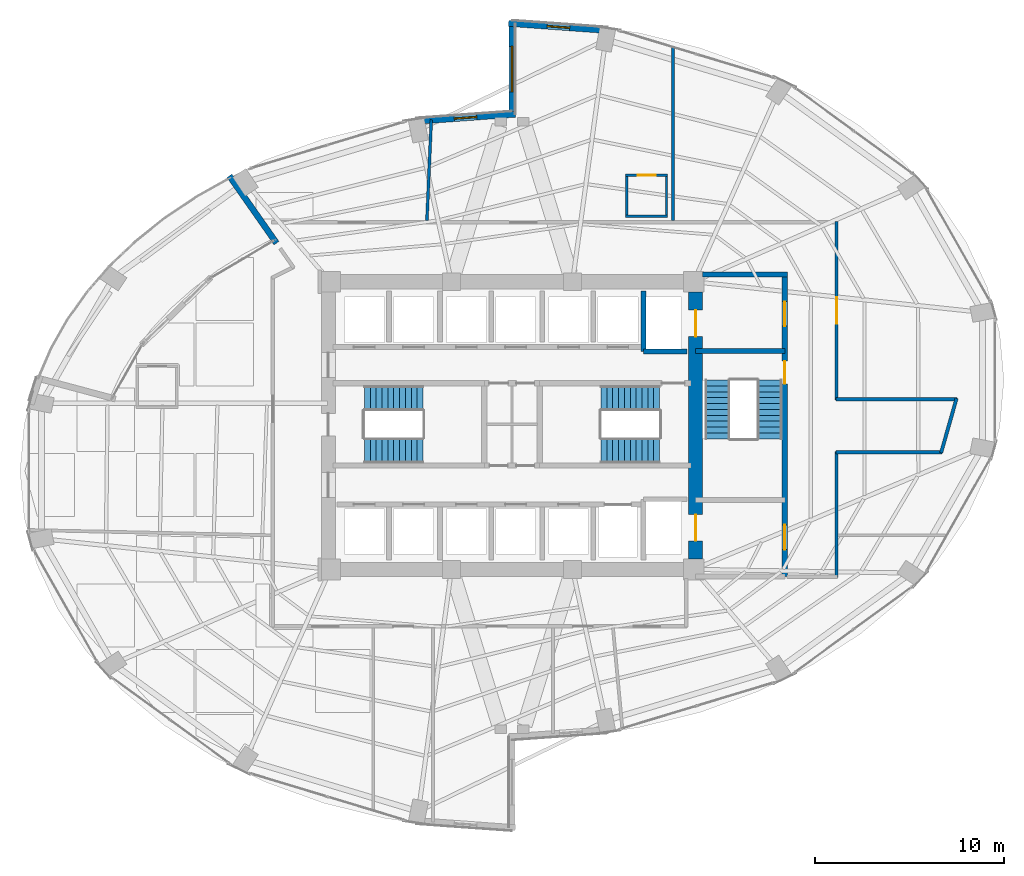
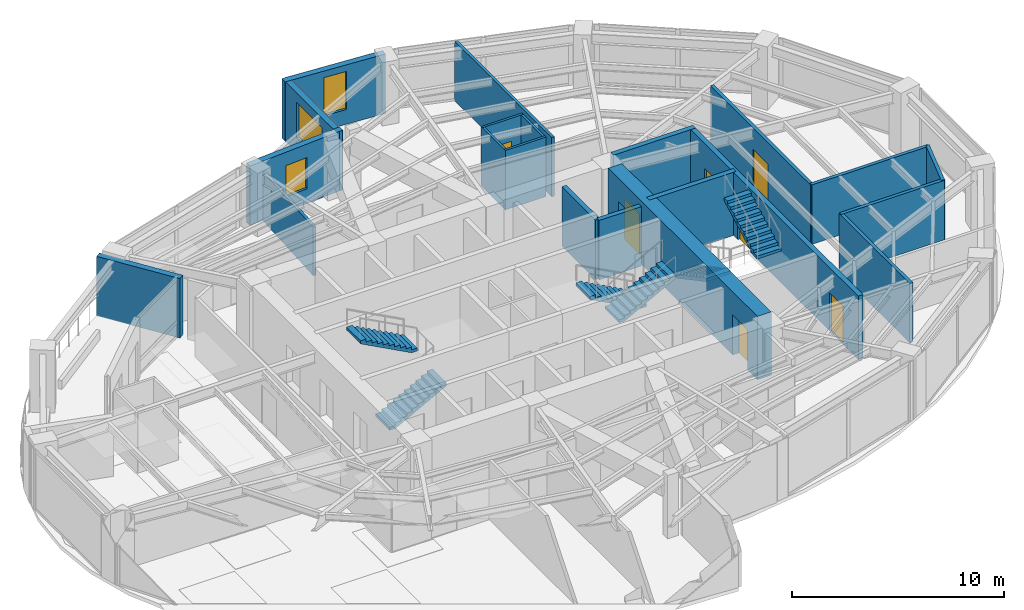
# One storey, part 22 of 24: 21 walls, 7 doors, 6 stair flights, 3 windows, 10 openings, 3 elements without a shape of their own.
"""IFC4 building model written with IfcOpenShell, lengths in metres."""

from ifc_helpers import new_model, si_unit, direction, frame, frame_2d, origin, place, context, subcontext, project, spatial, polyline, rectangle, outline, extrude, material, layer, layer_set, type_object, element, fill, aggregate, save


model = new_model("IFC4")

# Units and contexts
model_context = context("Model", 3, precision=1e-05, world=origin(), true_north=direction((0.0, 1.0)))
body_context = subcontext(model_context, "Body", "Model", "MODEL_VIEW")
ifc_project = project(units=[si_unit("LENGTHUNIT", "METRE"), si_unit("AREAUNIT", "SQUARE_METRE"), si_unit("VOLUMEUNIT", "CUBIC_METRE"), si_unit("PLANEANGLEUNIT", "RADIAN"), si_unit("MASSUNIT", "GRAM", prefix="KILO")], contexts=[model_context])

# Site, building, storey
site_placement = place(None, origin())
site = spatial("IfcSite", under=ifc_project, at=site_placement, CompositionType="ELEMENT")
building_placement = place(site_placement, origin())
building = spatial("IfcBuilding", under=site, at=building_placement, Name="Lazwardi Medical Tower", CompositionType="ELEMENT")
storey_placement = place(building_placement, frame((0.0, 0.0, 110.927978515625)))
storey = spatial("IfcBuildingStorey", under=building, at=storey_placement, Name="L28", CompositionType="ELEMENT", Elevation=110.927978515625)

# Wall, opening, door
ifc_material_1 = material(Name="Fire-rated gypsum board on steel stud", Category="steel")
ifc_layer_1 = layer(ifc_material_1, 0.179931640625)
ifc_layer_set_1 = layer_set([ifc_layer_1], Name="Fire-rated gypsum board on steel stud")
wall_type_1 = type_object("IfcWallType", Name="WL-COR-180", PredefinedType="PARTITIONING", material=ifc_layer_set_1)
wall_1_placement = place(storey_placement, frame((53.14990234375, 38.7900390625, 0.0), z_axis=(0.0, 0.0, 1.0), x_axis=(0.0, -1.0, 0.0)))
wall_1 = element("IfcWall", 1, at=wall_1_placement, inside=storey, type_object=wall_type_1, Name="L28 Corridor partition 5", PredefinedType="PARTITIONING", context=body_context, shape_type="SweptSolid", body=[
    extrude(rectangle(XDim=9.429931640625, YDim=0.179931640625, at=frame_2d((4.71484375, 0.0))), origin(), (0.0, 0.0, 1.0), 3.427978515625),
])
opening_1_placement = place(wall_1_placement, frame((4.014892578125, 0.0, 0.0)))
opening_1 = element("IfcOpeningElement", 2, at=opening_1_placement, cuts=wall_1, Name="Opening D-L28-016", PredefinedType="OPENING", context=body_context, shape_type="SweptSolid", body=[
    extrude(rectangle(XDim=1.39990234375, YDim=2.199951171875, at=frame_2d((0.699951171875, 1.10009765625))), frame((0.0, 0.099853515625, 0.0), z_axis=(0.0, -1.0, 0.0), x_axis=(1.0, 0.0, 0.0)), (0.0, 0.0, 1.0), 0.199951171875),
])
ifc_material_2 = material(Name="Anti-microbial laminate hospital leaf")
door_type_1 = type_object("IfcDoorType", Name="DR-BED-1400", OperationType="NOTDEFINED", PredefinedType="DOOR", material=ifc_material_2)
door_1_placement = place(opening_1_placement, origin())
door_1 = element("IfcDoor", 3, at=door_1_placement, inside=storey, type_object=door_type_1, Name="L28 Inpatient Ward Door 06", OperationType="SINGLE_SWING_RIGHT", OverallHeight=2.199951171875, OverallWidth=1.39990234375, PredefinedType="DOOR", context=body_context, shape_type="SweptSolid", body=[
    extrude(rectangle(XDim=1.39990234375, YDim=2.199951171875, at=frame_2d((0.699951171875, 1.10009765625))), frame((0.0, 0.02490234375, 0.0), z_axis=(0.0, -1.0, 0.0), x_axis=(1.0, 0.0, 0.0)), (0.0, 0.0, 1.0), 0.050048828125),
])
fill(opening_1, door_1)

# Walls
wall_2_placement = place(storey_placement, frame((53.110107421875, 29.39990234375, 0.0), z_axis=(0.0, 0.0, 1.0), x_axis=(1.0, 0.0, 0.0)))
element("IfcWall", 4, at=wall_2_placement, inside=storey, type_object=wall_type_1, Name="L28 Corridor partition 6", PredefinedType="PARTITIONING", context=body_context, shape_type="SweptSolid", body=[
    extrude(rectangle(XDim=6.41259765625, YDim=0.179931640625, at=frame_2d((3.206298828125, 0.0))), origin(), (0.0, 0.0, 1.0), 3.427978515625),
])
wall_3_placement = place(storey_placement, frame((59.49365234375, 29.4384765625, 0.0), z_axis=(0.0, 0.0, 1.0), x_axis=(-0.273222154729, -0.961950962453, 0.0)))
element("IfcWall", 5, at=wall_3_placement, inside=storey, type_object=wall_type_1, Name="L28 Corridor partition 7", PredefinedType="PARTITIONING", context=body_context, shape_type="SweptSolid", body=[
    extrude(rectangle(XDim=2.99072265625, YDim=0.179931640625, at=frame_2d((1.495361328125, 0.0))), origin(), (0.0, 0.0, 1.0), 3.427978515625),
])
wall_4_placement = place(storey_placement, frame((58.727294921875, 26.60009765625, 0.0), z_axis=(0.0, 0.0, 1.0), x_axis=(-1.0, 0.0, 0.0)))
element("IfcWall", 6, at=wall_4_placement, inside=storey, type_object=wall_type_1, Name="L28 Corridor partition 8", PredefinedType="PARTITIONING", context=body_context, shape_type="SweptSolid", body=[
    extrude(rectangle(XDim=5.6171875, YDim=0.179931640625, at=frame_2d((2.80859375, 0.0))), origin(), (0.0, 0.0, 1.0), 3.427978515625),
])
wall_5_placement = place(storey_placement, frame((53.14990234375, 26.639892578125, 0.0), z_axis=(0.0, 0.0, 1.0), x_axis=(0.0, -1.0, 0.0)))
element("IfcWall", 7, at=wall_5_placement, inside=storey, type_object=wall_type_1, Name="L28 Corridor partition 9", PredefinedType="PARTITIONING", context=body_context, shape_type="SweptSolid", body=[
    extrude(rectangle(XDim=6.659912109375, YDim=0.179931640625, at=frame_2d((3.330078125, 0.0))), origin(), (0.0, 0.0, 1.0), 3.427978515625),
])

# Wall, openings, doors
ifc_material_3 = material(Name="Concrete C70/85", Category="concrete")
ifc_layer_2 = layer(ifc_material_3, 0.75)
ifc_layer_set_2 = layer_set([ifc_layer_2], Name="Concrete C70/85")
wall_type_2 = type_object("IfcWallType", Name="WL-CORE-750", PredefinedType="SHEAR", material=ifc_layer_set_2)
wall_6_placement = place(storey_placement, frame((45.699951171875, 20.949951171875, 0.0), z_axis=(0.0, 0.0, 1.0), x_axis=(0.0, 1.0, 0.0)))
wall_6 = element("IfcWall", 8, at=wall_6_placement, inside=storey, type_object=wall_type_2, Name="Core wall CW-S2 east L28", PredefinedType="SHEAR", context=body_context, shape_type="SweptSolid", body=[
    extrude(rectangle(XDim=14.10009765625, YDim=0.75, at=frame_2d((7.050048828125, 0.0))), origin(), (0.0, 0.0, 1.0), 3.64794921875),
])
opening_2_placement = place(wall_6_placement, frame((11.75, 0.0, 0.0)))
opening_2 = element("IfcOpeningElement", 9, at=opening_2_placement, cuts=wall_6, Name="Opening LD-L28-001", PredefinedType="OPENING", context=body_context, shape_type="SweptSolid", body=[
    extrude(rectangle(XDim=1.39990234375, YDim=2.300048828125, at=frame_2d((0.699951171875, 1.14990234375))), frame((0.0, 0.385009765625, 0.0), z_axis=(0.0, -1.0, 0.0), x_axis=(1.0, 0.0, 0.0)), (0.0, 0.0, 1.0), 0.77001953125),
])
opening_3_placement = place(wall_6_placement, frame((0.949951171875, 0.0, 0.0)))
opening_3 = element("IfcOpeningElement", 10, at=opening_3_placement, cuts=wall_6, Name="Opening LD-L28-002", PredefinedType="OPENING", context=body_context, shape_type="SweptSolid", body=[
    extrude(rectangle(XDim=1.39990234375, YDim=2.300048828125, at=frame_2d((0.699951171875, 1.14990234375))), frame((0.0, 0.385009765625, 0.0), z_axis=(0.0, -1.0, 0.0), x_axis=(1.0, 0.0, 0.0)), (0.0, 0.0, 1.0), 0.77001953125),
])
ifc_material_4 = material(Name="Brushed stainless steel bed-lift landing door", Category="steel")
door_type_2 = type_object("IfcDoorType", Name="DR-LFT-1400", OperationType="NOTDEFINED", PredefinedType="DOOR", material=ifc_material_4)
door_2_placement = place(opening_2_placement, origin())
door_2 = element("IfcDoor", 11, at=door_2_placement, inside=storey, type_object=door_type_2, Name="L28 Lift Landing Door FL-01", OperationType="SLIDING_TO_LEFT", OverallHeight=2.300048828125, OverallWidth=1.39990234375, PredefinedType="DOOR", context=body_context, shape_type="SweptSolid", body=[
    extrude(rectangle(XDim=1.39990234375, YDim=2.300048828125, at=frame_2d((0.699951171875, 1.14990234375))), frame((0.0, 0.02490234375, 0.0), z_axis=(0.0, -1.0, 0.0), x_axis=(1.0, 0.0, 0.0)), (0.0, 0.0, 1.0), 0.050048828125),
])
fill(opening_2, door_2)
door_3_placement = place(opening_3_placement, origin())
door_3 = element("IfcDoor", 12, at=door_3_placement, inside=storey, type_object=door_type_2, Name="L28 Lift Landing Door FL-02", OperationType="SLIDING_TO_LEFT", OverallHeight=2.300048828125, OverallWidth=1.39990234375, PredefinedType="DOOR", context=body_context, shape_type="SweptSolid", body=[
    extrude(rectangle(XDim=1.39990234375, YDim=2.300048828125, at=frame_2d((0.699951171875, 1.14990234375))), frame((0.0, 0.02490234375, 0.0), z_axis=(0.0, -1.0, 0.0), x_axis=(1.0, 0.0, 0.0)), (0.0, 0.0, 1.0), 0.050048828125),
])
fill(opening_3, door_3)

# Wall, opening, door
ifc_material_5 = material(Name="Moisture-resistant gypsum board partition")
ifc_layer_3 = layer(ifc_material_5, 0.125)
ifc_layer_set_3 = layer_set([ifc_layer_3], Name="Moisture-resistant gypsum board partition")
wall_type_3 = type_object("IfcWallType", Name="WL-ENS-125", PredefinedType="PARTITIONING", material=ifc_layer_set_3)
wall_7_placement = place(storey_placement, frame((42.0048828125, 41.22509765625, 0.0), z_axis=(0.0, 0.0, 1.0), x_axis=(1.0, 0.0, 0.0)))
wall_7 = element("IfcWall", 13, at=wall_7_placement, inside=storey, type_object=wall_type_3, Name="L28 En-suite wall 7N", PredefinedType="PARTITIONING", context=body_context, shape_type="SweptSolid", body=[
    extrude(rectangle(XDim=2.22021484375, YDim=0.125, at=frame_2d((1.110107421875, 0.0))), origin(), (0.0, 0.0, 1.0), 3.427978515625),
])
opening_4_placement = place(wall_7_placement, frame((0.635009765625, 0.0, 0.0)))
opening_4 = element("IfcOpeningElement", 14, at=opening_4_placement, cuts=wall_7, Name="Opening D-L28-005", PredefinedType="OPENING", context=body_context, shape_type="SweptSolid", body=[
    extrude(rectangle(XDim=0.949951171875, YDim=2.10009765625, at=frame_2d((0.47509765625, 1.050048828125))), frame((0.0, 0.072509765625, 0.0), z_axis=(0.0, -1.0, 0.0), x_axis=(1.0, 0.0, 0.0)), (0.0, 0.0, 1.0), 0.14501953125),
])
ifc_material_6 = material(Name="Moisture-resistant laminate door leaf")
door_type_3 = type_object("IfcDoorType", Name="DR-ENS-950", OperationType="NOTDEFINED", PredefinedType="DOOR", material=ifc_material_6)
door_4_placement = place(opening_4_placement, origin())
door_4 = element("IfcDoor", 15, at=door_4_placement, inside=storey, type_object=door_type_3, Name="L28 En-suite Door 07", OperationType="SINGLE_SWING_LEFT", OverallHeight=2.10009765625, OverallWidth=0.949951171875, PredefinedType="DOOR", context=body_context, shape_type="SweptSolid", body=[
    extrude(rectangle(XDim=0.949951171875, YDim=2.10009765625, at=frame_2d((0.47509765625, 1.050048828125))), frame((0.0, 0.02490234375, 0.0), z_axis=(0.0, -1.0, 0.0), x_axis=(1.0, 0.0, 0.0)), (0.0, 0.0, 1.0), 0.050048828125),
])
fill(opening_4, door_4)

# Walls
wall_8_placement = place(storey_placement, frame((42.0048828125, 39.06494140625, 0.0), z_axis=(0.0, 0.0, 1.0), x_axis=(1.0, 0.0, 0.0)))
element("IfcWall", 16, at=wall_8_placement, inside=storey, type_object=wall_type_3, Name="L28 En-suite wall 7S", PredefinedType="PARTITIONING", context=body_context, shape_type="SweptSolid", body=[
    extrude(rectangle(XDim=2.22021484375, YDim=0.125, at=frame_2d((1.110107421875, 0.0))), origin(), (0.0, 0.0, 1.0), 3.427978515625),
])
for number, where, z_axis, x_axis, name in (
    (17, (44.1650390625, 39.0048828125, 0.0), (0.0, 0.0, 1.0), (0.0, 1.0, 0.0), "L28 En-suite wall 7E"),
    (18, (42.06494140625, 39.0048828125, 0.0), (0.0, 0.0, 1.0), (0.0, 1.0, 0.0), "L28 En-suite wall 7W"),
):
    element("IfcWall", number, at=place(storey_placement, frame(where, z_axis=z_axis, x_axis=x_axis)), inside=storey, type_object=wall_type_3, Name=name, PredefinedType="PARTITIONING", context=body_context, shape_type="SweptSolid", body=[
        extrude(rectangle(XDim=2.280029296875, YDim=0.125, at=frame_2d((1.14013671875, 0.0))), origin(), (0.0, 0.0, 1.0), 3.427978515625),
    ])

# Wall, opening, window
ifc_material_7 = material(Name="Precast concrete C45/55", Category="concrete")
ifc_layer_4 = layer(ifc_material_7, 0.320068359375)
ifc_layer_set_4 = layer_set([ifc_layer_4], Name="Precast concrete C45/55")
wall_type_4 = type_object("IfcWallType", Name="WL-IWAN-320", PredefinedType="SOLIDWALL", material=ifc_layer_set_4)
wall_9_placement = place(storey_placement, frame((41.091064453125, 48.87451171875, 0.0), z_axis=(0.0, 0.0, 1.0), x_axis=(-0.997432364291, 0.071614793619, 0.0)))
wall_9 = element("IfcWall", 19, at=wall_9_placement, inside=storey, type_object=wall_type_4, Name="L28 Iwan Portal Return Wall NE_ret", PredefinedType="SOLIDWALL", context=body_context, shape_type="SweptSolid", body=[
    extrude(rectangle(XDim=5.2841796875, YDim=0.320068359375, at=frame_2d((2.64208984375, 0.0))), origin(), (0.0, 0.0, 1.0), 3.427978515625),
])
opening_5_placement = place(wall_9_placement, frame((2.0419921875, 0.0, 0.85009765625)))
opening_5 = element("IfcOpeningElement", 20, at=opening_5_placement, cuts=wall_9, Name="Opening WN-01", PredefinedType="OPENING", context=body_context, shape_type="SweptSolid", body=[
    extrude(rectangle(XDim=1.199951171875, YDim=2.199951171875, at=frame_2d((0.60009765625, 1.10009765625))), frame((0.0, 0.169921875, 0.0), z_axis=(0.0, -1.0, 0.0), x_axis=(1.0, 0.0, 0.0)), (0.0, 0.0, 1.0), 0.340087890625),
])
ifc_material_8 = material(Name="Low-e bronze solar control double glazing", Category="glass")
window_type_1 = type_object("IfcWindowType", Name="WIN-IW-1200", PartitioningType="SINGLE_PANEL", PredefinedType="WINDOW", material=ifc_material_8)
window_1_placement = place(opening_5_placement, origin())
window_1 = element("IfcWindow", 21, at=window_1_placement, inside=storey, type_object=window_type_1, Name="L28 Iwan Slot Window NE_ret", OverallHeight=2.199951171875, OverallWidth=1.199951171875, PartitioningType="SINGLE_PANEL", PredefinedType="WINDOW", context=body_context, shape_type="SweptSolid", body=[
    extrude(rectangle(XDim=1.199951171875, YDim=2.199951171875, at=frame_2d((0.60009765625, 1.10009765625))), frame((0.0, 0.030029296875, 0.0), z_axis=(0.0, -1.0, 0.0), x_axis=(1.0, 0.0, 0.0)), (0.0, 0.0, 1.0), 0.06005859375),
])
fill(opening_5, window_1)

wall_10_placement = place(storey_placement, frame((36.178955078125, 44.452880859375, 0.0), z_axis=(0.0, 0.0, 1.0), x_axis=(-0.997431890304, -0.071621394884, 0.0)))
wall_10 = element("IfcWall", 22, at=wall_10_placement, inside=storey, type_object=wall_type_4, Name="L28 Iwan Portal Return Wall NW_ret", PredefinedType="SOLIDWALL", context=body_context, shape_type="SweptSolid", body=[
    extrude(rectangle(XDim=5.28369140625, YDim=0.320068359375, at=frame_2d((2.641845703125, 0.0))), origin(), (0.0, 0.0, 1.0), 3.427978515625),
])
opening_6_placement = place(wall_10_placement, frame((2.041748046875, 0.0, 0.85009765625)))
opening_6 = element("IfcOpeningElement", 23, at=opening_6_placement, cuts=wall_10, Name="Opening WN-04", PredefinedType="OPENING", context=body_context, shape_type="SweptSolid", body=[
    extrude(rectangle(XDim=1.199951171875, YDim=1.800048828125, at=frame_2d((0.60009765625, 0.89990234375))), frame((0.0, 0.169921875, 0.0), z_axis=(0.0, -1.0, 0.0), x_axis=(1.0, 0.0, 0.0)), (0.0, 0.0, 1.0), 0.340087890625),
])
window_type_2 = type_object("IfcWindowType", Name="WIN-DRUM-1200", PartitioningType="SINGLE_PANEL", PredefinedType="WINDOW", material=ifc_material_8)
window_2_placement = place(opening_6_placement, origin())
window_2 = element("IfcWindow", 24, at=window_2_placement, inside=storey, type_object=window_type_2, Name="L28 Iwan Slot Window NW_ret", OverallHeight=1.800048828125, OverallWidth=1.199951171875, PartitioningType="SINGLE_PANEL", PredefinedType="WINDOW", context=body_context, shape_type="SweptSolid", body=[
    extrude(rectangle(XDim=1.199951171875, YDim=1.800048828125, at=frame_2d((0.60009765625, 0.89990234375))), frame((0.0, 0.030029296875, 0.0), z_axis=(0.0, -1.0, 0.0), x_axis=(1.0, 0.0, 0.0)), (0.0, 0.0, 1.0), 0.06005859375),
])
fill(opening_6, window_2)

wall_11_placement = place(storey_placement, frame((36.0, 49.39990234375, 0.0), z_axis=(0.0, 0.0, 1.0), x_axis=(0.0, -1.0, 0.0)))
wall_11 = element("IfcWall", 25, at=wall_11_placement, inside=storey, type_object=wall_type_4, Name="L28 Turquoise Tilework Iwan Seam Wall N_seam", PredefinedType="SOLIDWALL", context=body_context, shape_type="SweptSolid", body=[
    extrude(rectangle(XDim=5.119873046875, YDim=0.320068359375, at=frame_2d((2.56005859375, 0.0))), origin(), (0.0, 0.0, 1.0), 3.427978515625),
])
opening_7_placement = place(wall_11_placement, frame((1.360107421875, 0.0, 0.840087890625)))
opening_7 = element("IfcOpeningElement", 26, at=opening_7_placement, cuts=wall_11, Name="Opening WN-02", PredefinedType="OPENING", context=body_context, shape_type="SweptSolid", body=[
    extrude(rectangle(XDim=2.39990234375, YDim=2.0400390625, at=frame_2d((1.199951171875, 1.02001953125))), frame((0.0, 0.169921875, 0.0), z_axis=(0.0, -1.0, 0.0), x_axis=(1.0, 0.0, 0.0)), (0.0, 0.0, 1.0), 0.340087890625),
])
window_type_3 = type_object("IfcWindowType", Name="WIN-IW-2400", PartitioningType="SINGLE_PANEL", PredefinedType="WINDOW", material=ifc_material_8)
window_3_placement = place(opening_7_placement, origin())
window_3 = element("IfcWindow", 27, at=window_3_placement, inside=storey, type_object=window_type_3, Name="L28 Iwan Seam Window N_seam", OverallHeight=2.0400390625, OverallWidth=2.39990234375, PartitioningType="SINGLE_PANEL", PredefinedType="WINDOW", context=body_context, shape_type="SweptSolid", body=[
    extrude(rectangle(XDim=2.39990234375, YDim=2.0400390625, at=frame_2d((1.199951171875, 1.02001953125))), frame((0.0, 0.030029296875, 0.0), z_axis=(0.0, -1.0, 0.0), x_axis=(1.0, 0.0, 0.0)), (0.0, 0.0, 1.0), 0.06005859375),
])
fill(opening_7, window_3)

# Walls
wall_12_placement = place(storey_placement, frame((21.064208984375, 41.196533203125, 0.0), z_axis=(0.0, 0.0, 1.0), x_axis=(0.573586931721, -0.819144695252, 0.0)))
element("IfcWall", 28, at=wall_12_placement, inside=storey, type_object=wall_type_4, Name="L28 Sky Garden SG2 Flank Wall S0", PredefinedType="SOLIDWALL", context=body_context, shape_type="SweptSolid", body=[
    extrude(rectangle(XDim=4.33984375, YDim=0.320068359375, at=frame_2d((2.169921875, 0.0))), origin(), (0.0, 0.0, 1.0), 3.427978515625),
])
ifc_material_9 = material(Name="Autoclaved aerated concrete blockwork", Category="masonry")
ifc_layer_5 = layer(ifc_material_9, 0.25)
ifc_layer_set_5 = layer_set([ifc_layer_5], Name="Autoclaved aerated concrete blockwork")
wall_type_5 = type_object("IfcWallType", Name="WL-SHAFT-250", PredefinedType="SOLIDWALL", material=ifc_layer_set_5)
wall_13_placement = place(storey_placement, frame((42.949951171875, 31.919921875, 0.0), z_axis=(0.0, 0.0, 1.0), x_axis=(0.0, 1.0, 0.0)))
element("IfcWall", 29, at=wall_13_placement, inside=storey, type_object=wall_type_5, Name="L28 FL-01 West shaft wall", PredefinedType="SOLIDWALL", context=body_context, shape_type="SweptSolid", body=[
    extrude(rectangle(XDim=3.18017578125, YDim=0.25, at=frame_2d((1.590087890625, 0.0))), origin(), (0.0, 0.0, 1.0), 3.427978515625),
])
wall_14_placement = place(storey_placement, frame((42.949951171875, 31.919921875, 0.0), z_axis=(0.0, 0.0, 1.0), x_axis=(1.0, 0.0, 0.0)))
element("IfcWall", 30, at=wall_14_placement, inside=storey, type_object=wall_type_5, Name="L28 FL-01 South shaft wall", PredefinedType="SOLIDWALL", context=body_context, shape_type="SweptSolid", body=[
    extrude(rectangle(XDim=2.300048828125, YDim=0.25, at=frame_2d((1.14990234375, 0.0))), origin(), (0.0, 0.0, 1.0), 3.427978515625),
])

# Wall, openings, doors
ifc_material_10 = material(Name="Concrete C50/60", Category="concrete")
ifc_layer_6 = layer(ifc_material_10, 0.27001953125)
ifc_layer_set_6 = layer_set([ifc_layer_6], Name="Concrete C50/60")
wall_type_6 = type_object("IfcWallType", Name="WL-STR-250", PredefinedType="SHEAR", material=ifc_layer_set_6)
wall_15_placement = place(storey_placement, frame((50.4150390625, 35.844970703125, 0.0), z_axis=(0.0, 0.0, 1.0), x_axis=(0.0, -1.0, 0.0)))
wall_15 = element("IfcWall", 31, at=wall_15_placement, inside=storey, type_object=wall_type_6, Name="L28 East ST3 & FFL shear wall SW-S1", PredefinedType="SHEAR", context=body_context, shape_type="SweptSolid", body=[
    extrude(rectangle(XDim=15.824951171875, YDim=0.27001953125, at=frame_2d((7.91259765625, 0.0))), origin(), (0.0, 0.0, 1.0), 3.64794921875),
])
opening_8_placement = place(wall_15_placement, frame((4.445068359375, 0.0, 0.0)))
opening_8 = element("IfcOpeningElement", 32, at=opening_8_placement, cuts=wall_15, Name="Opening D-L28-022", PredefinedType="OPENING", context=body_context, shape_type="SweptSolid", body=[
    extrude(rectangle(XDim=1.199951171875, YDim=2.14990234375, at=frame_2d((0.60009765625, 1.074951171875))), frame((0.0, 0.14501953125, 0.0), z_axis=(0.0, -1.0, 0.0), x_axis=(1.0, 0.0, 0.0)), (0.0, 0.0, 1.0), 0.2900390625),
])
opening_9_placement = place(wall_15_placement, frame((1.294921875, 0.0, 0.0)))
opening_9 = element("IfcOpeningElement", 33, at=opening_9_placement, cuts=wall_15, Name="Opening D-L28-007", PredefinedType="OPENING", context=body_context, shape_type="SweptSolid", body=[
    extrude(rectangle(XDim=1.300048828125, YDim=2.199951171875, at=frame_2d((0.64990234375, 1.10009765625))), frame((0.0, 0.14501953125, 0.0), z_axis=(0.0, -1.0, 0.0), x_axis=(1.0, 0.0, 0.0)), (0.0, 0.0, 1.0), 0.2900390625),
])
opening_10_placement = place(wall_15_placement, frame((13.094970703125, 0.0, 0.0)))
opening_10 = element("IfcOpeningElement", 34, at=opening_10_placement, cuts=wall_15, Name="Opening D-L28-008", PredefinedType="OPENING", context=body_context, shape_type="SweptSolid", body=[
    extrude(rectangle(XDim=1.300048828125, YDim=2.199951171875, at=frame_2d((0.64990234375, 1.10009765625))), frame((0.0, 0.14501953125, 0.0), z_axis=(0.0, -1.0, 0.0), x_axis=(1.0, 0.0, 0.0)), (0.0, 0.0, 1.0), 0.2900390625),
])
ifc_material_11 = material(Name="Fire-rated steel leaf and frame", Category="steel")
door_type_4 = type_object("IfcDoorType", Name="DR-FFL-1300", OperationType="NOTDEFINED", PredefinedType="DOOR", material=ifc_material_11)
door_5_placement = place(opening_9_placement, origin())
door_5 = element("IfcDoor", 35, at=door_5_placement, inside=storey, type_object=door_type_4, Name="L28 Fire-Fighting Lobby North Door", OperationType="SINGLE_SWING_LEFT", OverallHeight=2.199951171875, OverallWidth=1.300048828125, PredefinedType="DOOR", context=body_context, shape_type="SweptSolid", body=[
    extrude(rectangle(XDim=1.300048828125, YDim=2.199951171875, at=frame_2d((0.64990234375, 1.10009765625))), frame((0.0, 0.02490234375, 0.0), z_axis=(0.0, -1.0, 0.0), x_axis=(1.0, 0.0, 0.0)), (0.0, 0.0, 1.0), 0.050048828125),
])
fill(opening_9, door_5)
door_6_placement = place(opening_10_placement, origin())
door_6 = element("IfcDoor", 36, at=door_6_placement, inside=storey, type_object=door_type_4, Name="L28 Fire-Fighting Lobby South Door", OperationType="SINGLE_SWING_RIGHT", OverallHeight=2.199951171875, OverallWidth=1.300048828125, PredefinedType="DOOR", context=body_context, shape_type="SweptSolid", body=[
    extrude(rectangle(XDim=1.300048828125, YDim=2.199951171875, at=frame_2d((0.64990234375, 1.10009765625))), frame((0.0, 0.02490234375, 0.0), z_axis=(0.0, -1.0, 0.0), x_axis=(1.0, 0.0, 0.0)), (0.0, 0.0, 1.0), 0.050048828125),
])
fill(opening_10, door_6)
door_type_5 = type_object("IfcDoorType", Name="DR-STR-1200", OperationType="NOTDEFINED", PredefinedType="DOOR", material=ifc_material_11)
door_7_placement = place(opening_8_placement, origin())
door_7 = element("IfcDoor", 37, at=door_7_placement, inside=storey, type_object=door_type_5, Name="L28 Exit Stair ST3 Door", OperationType="SINGLE_SWING_RIGHT", OverallHeight=2.14990234375, OverallWidth=1.199951171875, PredefinedType="DOOR", context=body_context, shape_type="SweptSolid", body=[
    extrude(rectangle(XDim=1.199951171875, YDim=2.14990234375, at=frame_2d((0.60009765625, 1.074951171875))), frame((0.0, 0.02490234375, 0.0), z_axis=(0.0, -1.0, 0.0), x_axis=(1.0, 0.0, 0.0)), (0.0, 0.0, 1.0), 0.050048828125),
])
fill(opening_8, door_7)

# Walls
wall_16_placement = place(storey_placement, frame((46.074951171875, 35.97998046875, 0.0), z_axis=(0.0, 0.0, 1.0), x_axis=(1.0, 0.0, 0.0)))
element("IfcWall", 38, at=wall_16_placement, inside=storey, type_object=wall_type_6, Name="L28 FFL-N North shear wall SW-S1", PredefinedType="SHEAR", context=body_context, shape_type="SweptSolid", body=[
    extrude(rectangle(XDim=4.47509765625, YDim=0.27001953125, at=frame_2d((2.237548828125, 0.0))), origin(), (0.0, 0.0, 1.0), 3.64794921875),
])
wall_17_placement = place(storey_placement, frame((45.699951171875, 31.93505859375, 0.0), z_axis=(0.0, 0.0, 1.0), x_axis=(1.0, 0.0, 0.0)))
element("IfcWall", 39, at=wall_17_placement, inside=storey, type_object=wall_type_6, Name="L28 ST3 North shear shaft wall SW-S1", PredefinedType="SHEAR", context=body_context, shape_type="SweptSolid", body=[
    extrude(rectangle(XDim=4.715087890625, YDim=0.27001953125, at=frame_2d((2.357421875, 0.0))), origin(), (0.0, 0.0, 1.0), 3.64794921875),
])
ifc_material_12 = material(Name="Acoustic gypsum board partition")
ifc_layer_7 = layer(ifc_material_12, 0.14990234375)
ifc_layer_set_7 = layer_set([ifc_layer_7], Name="Acoustic gypsum board partition")
wall_type_7 = type_object("IfcWallType", Name="WL-WRD-150", PredefinedType="PARTITIONING", material=ifc_layer_set_7)
wall_18_placement = place(storey_placement, frame((31.50341796875, 38.83984375, 0.0), z_axis=(0.0, 0.0, 1.0), x_axis=(0.043494903789, 0.999053648882, 0.0)))
element("IfcWall", 40, at=wall_18_placement, inside=storey, type_object=wall_type_7, Name="L28 Room partition 3", PredefinedType="PARTITIONING", context=body_context, shape_type="SweptSolid", body=[
    extrude(rectangle(XDim=5.326904296875, YDim=0.14990234375, at=frame_2d((2.66357421875, 0.0))), origin(), (0.0, 0.0, 1.0), 2.81298828125),
])
wall_19_placement = place(storey_placement, frame((44.5, 38.840087890625, 0.0), z_axis=(0.0, 0.0, 1.0), x_axis=(0.0, 1.0, 0.0)))
element("IfcWall", 41, at=wall_19_placement, inside=storey, type_object=wall_type_7, Name="L28 Room partition 4", PredefinedType="PARTITIONING", context=body_context, shape_type="SweptSolid", body=[
    extrude(rectangle(XDim=9.142578125, YDim=0.14990234375, at=frame_2d((4.5712890625, 0.0))), origin(), (0.0, 0.0, 1.0), 3.427978515625),
])

# Stair, stair flights
ifc_material_13 = material(Name="Concrete C45/55", Category="concrete")
stair_type = type_object("IfcStairType", Name="STR-WRD", PredefinedType="HALF_TURN_STAIR", material=ifc_material_13)
stair_1_placement = place(storey_placement, origin())
stair_1 = element("IfcStair", 42, at=stair_1_placement, inside=storey, type_object=stair_type, Name="L28 Protected Exit Stair ST1", PredefinedType="HALF_TURN_STAIR")
stair_flight_type = type_object("IfcStairFlightType", Name="FLT-WRD", PredefinedType="STRAIGHT", material=ifc_material_13)
stair_flight_1_placement = place(storey_placement, frame((28.199951171875, 26.679931640625, 0.0), z_axis=(0.0, 0.0, 1.0), x_axis=(1.0, 0.0, 0.0)))
stair_flight_1 = element("IfcStairFlight", 43, at=stair_flight_1_placement, type_object=stair_flight_type, Name="ST1 flight 1", NumberOfRisers=11, NumberOfTreads=10, PredefinedType="STRAIGHT", RiserHeight=0.165818182, TreadLength=0.31, context=body_context, shape_type="SweptSolid", body=[
    extrude(outline(polyline([(0.0, 0.0), (0.0, 0.165771484375), (0.31005859375, 0.165771484375), (0.31005859375, 0.33154296875), (0.6201171875, 0.33154296875), (0.6201171875, 0.49755859375), (0.929931640625, 0.49755859375), (0.929931640625, 0.663330078125), (1.239990234375, 0.663330078125), (1.239990234375, 0.8291015625), (1.550048828125, 0.8291015625), (1.550048828125, 0.994873046875), (1.860107421875, 0.994873046875), (1.860107421875, 1.16064453125), (2.169921875, 1.16064453125), (2.169921875, 1.32666015625), (2.47998046875, 1.32666015625), (2.47998046875, 1.492431640625), (2.7900390625, 1.492431640625), (2.7900390625, 1.658203125), (3.10009765625, 1.658203125), (3.10009765625, 1.823974609375), (3.10009765625, 1.48828125), (0.31787109375, 0.0), (0.0, 0.0)])), frame((0.0, 0.66015625, 0.0), z_axis=(0.0, -1.0, 0.0), x_axis=(1.0, 0.0, 0.0)), (0.0, 0.0, 1.0), 1.320068359375),
])
stair_flight_2_placement = place(storey_placement, frame((31.300048828125, 29.43994140625, 1.823974609375), z_axis=(0.0, 0.0, 1.0), x_axis=(-1.0, 0.0, 0.0)))
stair_flight_2 = element("IfcStairFlight", 44, at=stair_flight_2_placement, type_object=stair_flight_type, Name="ST1 flight 2", NumberOfRisers=11, NumberOfTreads=10, PredefinedType="STRAIGHT", RiserHeight=0.165818182, TreadLength=0.31, context=body_context, shape_type="SweptSolid", body=[
    extrude(outline(polyline([(0.0, 0.0), (0.0, 0.165771484375), (0.31005859375, 0.165771484375), (0.31005859375, 0.33154296875), (0.6201171875, 0.33154296875), (0.6201171875, 0.49755859375), (0.929931640625, 0.49755859375), (0.929931640625, 0.663330078125), (1.239990234375, 0.663330078125), (1.239990234375, 0.8291015625), (1.550048828125, 0.8291015625), (1.550048828125, 0.994873046875), (1.860107421875, 0.994873046875), (1.860107421875, 1.16064453125), (2.169921875, 1.16064453125), (2.169921875, 1.32666015625), (2.47998046875, 1.32666015625), (2.47998046875, 1.492431640625), (2.7900390625, 1.492431640625), (2.7900390625, 1.658203125), (3.10009765625, 1.658203125), (3.10009765625, 1.823974609375), (3.10009765625, 1.48828125), (0.31787109375, 0.0), (0.0, 0.0)])), frame((0.0, 0.66015625, 0.0), z_axis=(0.0, -1.0, 0.0), x_axis=(1.0, 0.0, 0.0)), (0.0, 0.0, 1.0), 1.320068359375),
])
aggregate(stair_1, [stair_flight_1, stair_flight_2])

stair_2_placement = place(storey_placement, origin())
stair_2 = element("IfcStair", 45, at=stair_2_placement, inside=storey, type_object=stair_type, Name="L28 Protected Exit Stair ST2", PredefinedType="HALF_TURN_STAIR")
stair_flight_3_placement = place(storey_placement, frame((43.800048828125, 29.43994140625, 0.0), z_axis=(0.0, 0.0, 1.0), x_axis=(-1.0, 0.0, 0.0)))
stair_flight_3 = element("IfcStairFlight", 46, at=stair_flight_3_placement, type_object=stair_flight_type, Name="ST2 flight 1", NumberOfRisers=11, NumberOfTreads=10, PredefinedType="STRAIGHT", RiserHeight=0.165818182, TreadLength=0.31, context=body_context, shape_type="SweptSolid", body=[
    extrude(outline(polyline([(0.0, 0.0), (0.0, 0.165771484375), (0.31005859375, 0.165771484375), (0.31005859375, 0.33154296875), (0.6201171875, 0.33154296875), (0.6201171875, 0.49755859375), (0.929931640625, 0.49755859375), (0.929931640625, 0.663330078125), (1.239990234375, 0.663330078125), (1.239990234375, 0.8291015625), (1.550048828125, 0.8291015625), (1.550048828125, 0.994873046875), (1.860107421875, 0.994873046875), (1.860107421875, 1.16064453125), (2.169921875, 1.16064453125), (2.169921875, 1.32666015625), (2.47998046875, 1.32666015625), (2.47998046875, 1.492431640625), (2.7900390625, 1.492431640625), (2.7900390625, 1.658203125), (3.10009765625, 1.658203125), (3.10009765625, 1.823974609375), (3.10009765625, 1.48828125), (0.31787109375, 0.0), (0.0, 0.0)])), frame((0.0, 0.66015625, 0.0), z_axis=(0.0, -1.0, 0.0), x_axis=(1.0, 0.0, 0.0)), (0.0, 0.0, 1.0), 1.320068359375),
])
stair_flight_4_placement = place(storey_placement, frame((40.699951171875, 26.679931640625, 1.823974609375), z_axis=(0.0, 0.0, 1.0), x_axis=(1.0, 0.0, 0.0)))
stair_flight_4 = element("IfcStairFlight", 47, at=stair_flight_4_placement, type_object=stair_flight_type, Name="ST2 flight 2", NumberOfRisers=11, NumberOfTreads=10, PredefinedType="STRAIGHT", RiserHeight=0.165818182, TreadLength=0.31, context=body_context, shape_type="SweptSolid", body=[
    extrude(outline(polyline([(0.0, 0.0), (0.0, 0.165771484375), (0.31005859375, 0.165771484375), (0.31005859375, 0.33154296875), (0.6201171875, 0.33154296875), (0.6201171875, 0.49755859375), (0.929931640625, 0.49755859375), (0.929931640625, 0.663330078125), (1.239990234375, 0.663330078125), (1.239990234375, 0.8291015625), (1.550048828125, 0.8291015625), (1.550048828125, 0.994873046875), (1.860107421875, 0.994873046875), (1.860107421875, 1.16064453125), (2.169921875, 1.16064453125), (2.169921875, 1.32666015625), (2.47998046875, 1.32666015625), (2.47998046875, 1.492431640625), (2.7900390625, 1.492431640625), (2.7900390625, 1.658203125), (3.10009765625, 1.658203125), (3.10009765625, 1.823974609375), (3.10009765625, 1.48828125), (0.31787109375, 0.0), (0.0, 0.0)])), frame((0.0, 0.66015625, 0.0), z_axis=(0.0, -1.0, 0.0), x_axis=(1.0, 0.0, 0.0)), (0.0, 0.0, 1.0), 1.320068359375),
])
aggregate(stair_2, [stair_flight_3, stair_flight_4])

stair_3_placement = place(storey_placement, origin())
stair_3 = element("IfcStair", 48, at=stair_3_placement, inside=storey, type_object=stair_type, Name="L28 Protected Exit Stair ST3", PredefinedType="HALF_TURN_STAIR")
stair_flight_5_placement = place(storey_placement, frame((46.860107421875, 30.39990234375, 0.0), z_axis=(0.0, 0.0, 1.0), x_axis=(0.0, -1.0, 0.0)))
stair_flight_5 = element("IfcStairFlight", 49, at=stair_flight_5_placement, type_object=stair_flight_type, Name="ST3 flight 1", NumberOfRisers=11, NumberOfTreads=10, PredefinedType="STRAIGHT", RiserHeight=0.165818182, TreadLength=0.31, context=body_context, shape_type="SweptSolid", body=[
    extrude(outline(polyline([(0.0, 0.0), (0.0, 0.165771484375), (0.31005859375, 0.165771484375), (0.31005859375, 0.33154296875), (0.6201171875, 0.33154296875), (0.6201171875, 0.49755859375), (0.929931640625, 0.49755859375), (0.929931640625, 0.663330078125), (1.239990234375, 0.663330078125), (1.239990234375, 0.8291015625), (1.550048828125, 0.8291015625), (1.550048828125, 0.994873046875), (1.860107421875, 0.994873046875), (1.860107421875, 1.16064453125), (2.169921875, 1.16064453125), (2.169921875, 1.32666015625), (2.47998046875, 1.32666015625), (2.47998046875, 1.492431640625), (2.7900390625, 1.492431640625), (2.7900390625, 1.658203125), (3.10009765625, 1.658203125), (3.10009765625, 1.823974609375), (3.10009765625, 1.48828125), (0.31787109375, 0.0), (0.0, 0.0)])), frame((0.0, 0.66015625, 0.0), z_axis=(0.0, -1.0, 0.0), x_axis=(1.0, 0.0, 0.0)), (0.0, 0.0, 1.0), 1.320068359375),
])
stair_flight_6_placement = place(storey_placement, frame((49.6201171875, 27.300048828125, 1.823974609375), z_axis=(0.0, 0.0, 1.0), x_axis=(0.0, 1.0, 0.0)))
stair_flight_6 = element("IfcStairFlight", 50, at=stair_flight_6_placement, type_object=stair_flight_type, Name="ST3 flight 2", NumberOfRisers=11, NumberOfTreads=10, PredefinedType="STRAIGHT", RiserHeight=0.165818182, TreadLength=0.31, context=body_context, shape_type="SweptSolid", body=[
    extrude(outline(polyline([(0.0, 0.0), (0.0, 0.165771484375), (0.31005859375, 0.165771484375), (0.31005859375, 0.33154296875), (0.6201171875, 0.33154296875), (0.6201171875, 0.49755859375), (0.929931640625, 0.49755859375), (0.929931640625, 0.663330078125), (1.239990234375, 0.663330078125), (1.239990234375, 0.8291015625), (1.550048828125, 0.8291015625), (1.550048828125, 0.994873046875), (1.860107421875, 0.994873046875), (1.860107421875, 1.16064453125), (2.169921875, 1.16064453125), (2.169921875, 1.32666015625), (2.47998046875, 1.32666015625), (2.47998046875, 1.492431640625), (2.7900390625, 1.492431640625), (2.7900390625, 1.658203125), (3.10009765625, 1.658203125), (3.10009765625, 1.823974609375), (3.10009765625, 1.48828125), (0.31787109375, 0.0), (0.0, 0.0)])), frame((0.0, 0.66015625, 0.0), z_axis=(0.0, -1.0, 0.0), x_axis=(1.0, 0.0, 0.0)), (0.0, 0.0, 1.0), 1.320068359375),
])
aggregate(stair_3, [stair_flight_5, stair_flight_6])

save(model, "model.ifc")
